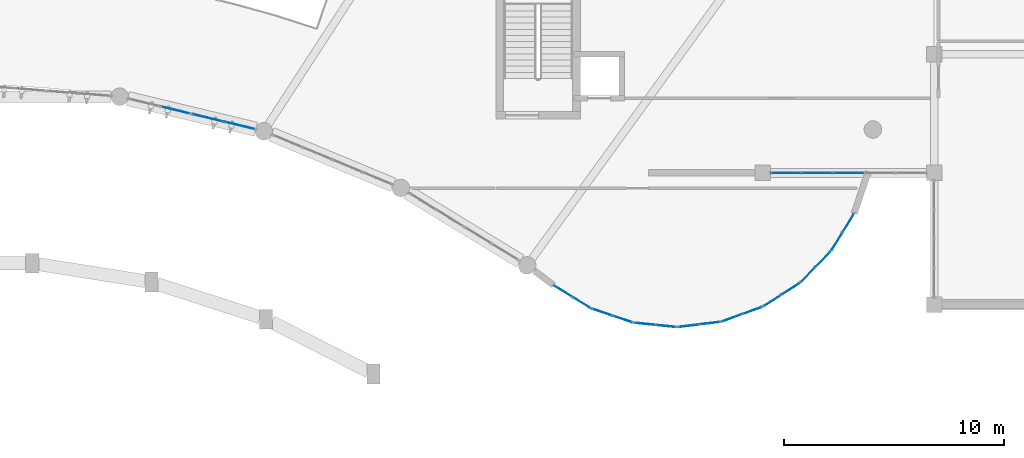
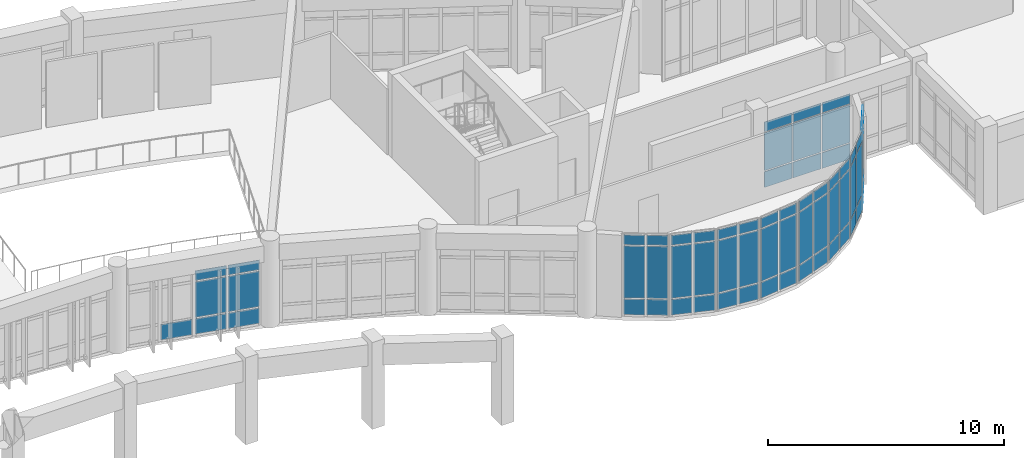
# One storey, part 36 of 57: 64 plates, 11 elements without a shape of their own.
"""IFC4 building model written with IfcOpenShell, lengths in metres."""

from ifc_helpers import new_model, si_unit, direction, frame, origin, origin_2d, place, context, subcontext, project, spatial, rectangle, extrude, material, layer, layer_set, type_object, element, aggregate, save


model = new_model("IFC4")

# Units and contexts
model_context = context("Model", 3, precision=1e-05, world=origin(), true_north=direction((0.0, 1.0)))
body_context = subcontext(model_context, "Body", "Model", "MODEL_VIEW")
ifc_project = project(units=[si_unit("LENGTHUNIT", "METRE"), si_unit("AREAUNIT", "SQUARE_METRE"), si_unit("VOLUMEUNIT", "CUBIC_METRE"), si_unit("PLANEANGLEUNIT", "RADIAN"), si_unit("MASSUNIT", "GRAM", prefix="KILO")], contexts=[model_context])

# Site, building, storey
site_placement = place(None, origin())
site = spatial("IfcSite", under=ifc_project, at=site_placement, CompositionType="ELEMENT")
building_placement = place(site_placement, origin())
building = spatial("IfcBuilding", under=site, at=building_placement, Name="Miralva Faculty of Natural Sciences", CompositionType="ELEMENT")
storey_placement = place(building_placement, frame((0.0, 0.0, 15.0)))
storey = spatial("IfcBuildingStorey", under=building, at=storey_placement, Name="L03", CompositionType="ELEMENT", Elevation=15.0)

# Curtain wall, plate
ifc_material = material(Name="Laminated solar-control glass", Category="glass")
ifc_layer_1 = layer(ifc_material, 0.179931640625, Name="CW-ARC-L03")
ifc_layer_set_1 = layer_set([ifc_layer_1], Name="Laminated solar-control glass")
curtain_wall_type_1 = type_object("IfcCurtainWallType", Name="CW-ARC-L03", PredefinedType="USERDEFINED", material=ifc_layer_set_1)
curtain_wall_1_placement = place(storey_placement, origin())
curtain_wall_1 = element("IfcCurtainWall", 1, at=curtain_wall_1_placement, inside=storey, type_object=curtain_wall_type_1, Name="Curtain wall CW-03 L03-119", ObjectType="UNITISED CURTAIN WALL", PredefinedType="USERDEFINED")
ifc_layer_2 = layer(ifc_material, 0.028076171875, Name="PNL-P01")
ifc_layer_set_2 = layer_set([ifc_layer_2], Name="Laminated solar-control glass")
plate_type = type_object("IfcPlateType", Name="PNL-P01", PredefinedType="CURTAIN_PANEL", material=ifc_layer_set_2)
plate_1_placement = place(storey_placement, frame((99.267333984375, 20.860595703125, 0.06494140625), z_axis=(0.0, 0.0, 1.0), x_axis=(0.972367185898, -0.233456753574, 0.0)))
plate_1 = element("IfcPlate", 2, at=plate_1_placement, type_object=plate_type, Name="CW-03 panel 2.1", PredefinedType="CURTAIN_PANEL", context=body_context, shape_type="SweptSolid", body=[
    extrude(rectangle(XDim=1.391845703125, YDim=0.028076171875, at=origin_2d()), origin(), (0.0, 0.0, 1.0), 0.802490234375),
])
aggregate(curtain_wall_1, [plate_1])

# Curtain wall, plates
curtain_wall_2_placement = place(storey_placement, origin())
curtain_wall_2 = element("IfcCurtainWall", 3, at=curtain_wall_2_placement, inside=storey, type_object=curtain_wall_type_1, Name="Curtain wall CW-03 L03-120", ObjectType="UNITISED CURTAIN WALL", PredefinedType="USERDEFINED")
plate_2_placement = place(storey_placement, frame((100.743408203125, 20.50634765625, 0.06494140625), z_axis=(0.0, 0.0, 1.0), x_axis=(0.972365393914, -0.233464217213, 0.0)))
plate_2 = element("IfcPlate", 4, at=plate_2_placement, type_object=plate_type, Name="CW-03 panel 1.1", PredefinedType="CURTAIN_PANEL", context=body_context, shape_type="SweptSolid", body=[
    extrude(rectangle(XDim=1.394287109375, YDim=0.028076171875, at=origin_2d()), origin(), (0.0, 0.0, 1.0), 0.802490234375),
])
plate_3_placement = place(storey_placement, frame((100.743408203125, 20.50634765625, 0.9326171875), z_axis=(0.0, 0.0, 1.0), x_axis=(0.972365393914, -0.233464217213, 0.0)))
plate_3 = element("IfcPlate", 5, at=plate_3_placement, type_object=plate_type, Name="CW-03 panel 1.2", PredefinedType="CURTAIN_PANEL", context=body_context, shape_type="SweptSolid", body=[
    extrude(rectangle(XDim=1.394287109375, YDim=0.028076171875, at=origin_2d()), origin(), (0.0, 0.0, 1.0), 1.840087890625),
])
plate_4_placement = place(storey_placement, frame((100.743408203125, 20.50634765625, 2.837646484375), z_axis=(0.0, 0.0, 1.0), x_axis=(0.972365393914, -0.233464217213, 0.0)))
plate_4 = element("IfcPlate", 6, at=plate_4_placement, type_object=plate_type, Name="CW-03 panel 1.3", PredefinedType="CURTAIN_PANEL", context=body_context, shape_type="SweptSolid", body=[
    extrude(rectangle(XDim=1.394287109375, YDim=0.028076171875, at=origin_2d()), origin(), (0.0, 0.0, 1.0), 0.50244140625),
])
plate_5_placement = place(storey_placement, frame((102.162353515625, 20.16552734375, 0.06494140625), z_axis=(0.0, 0.0, 1.0), x_axis=(0.972365393914, -0.233464217213, 0.0)))
plate_5 = element("IfcPlate", 7, at=plate_5_placement, type_object=plate_type, Name="CW-03 panel 2.1", PredefinedType="CURTAIN_PANEL", context=body_context, shape_type="SweptSolid", body=[
    extrude(rectangle(XDim=1.394287109375, YDim=0.028076171875, at=origin_2d()), origin(), (0.0, 0.0, 1.0), 0.802490234375),
])
plate_6_placement = place(storey_placement, frame((102.162353515625, 20.16552734375, 0.9326171875), z_axis=(0.0, 0.0, 1.0), x_axis=(0.972365393914, -0.233464217213, 0.0)))
plate_6 = element("IfcPlate", 8, at=plate_6_placement, type_object=plate_type, Name="CW-03 panel 2.2", PredefinedType="CURTAIN_PANEL", context=body_context, shape_type="SweptSolid", body=[
    extrude(rectangle(XDim=1.394287109375, YDim=0.028076171875, at=origin_2d()), origin(), (0.0, 0.0, 1.0), 1.840087890625),
])
plate_7_placement = place(storey_placement, frame((102.162353515625, 20.16552734375, 2.837646484375), z_axis=(0.0, 0.0, 1.0), x_axis=(0.972365393914, -0.233464217213, 0.0)))
plate_7 = element("IfcPlate", 9, at=plate_7_placement, type_object=plate_type, Name="CW-03 panel 2.3", PredefinedType="CURTAIN_PANEL", context=body_context, shape_type="SweptSolid", body=[
    extrude(rectangle(XDim=1.394287109375, YDim=0.028076171875, at=origin_2d()), origin(), (0.0, 0.0, 1.0), 0.50244140625),
])
aggregate(curtain_wall_2, [plate_2, plate_3, plate_4, plate_5, plate_6, plate_7])

ifc_layer_3 = layer(ifc_material, 0.179931640625, Name="CW-RND-L03")
ifc_layer_set_3 = layer_set([ifc_layer_3], Name="Laminated solar-control glass")
curtain_wall_type_2 = type_object("IfcCurtainWallType", Name="CW-RND-L03", PredefinedType="USERDEFINED", material=ifc_layer_set_3)
curtain_wall_3_placement = place(storey_placement, origin())
curtain_wall_3 = element("IfcCurtainWall", 10, at=curtain_wall_3_placement, inside=storey, type_object=curtain_wall_type_2, Name="Curtain wall CW-06 L03-149", ObjectType="UNITISED CURTAIN WALL", PredefinedType="USERDEFINED")
plate_8_placement = place(storey_placement, frame((129.37939453125, 14.8798828125, 0.06005859375), z_axis=(0.0, 0.0, 1.0), x_axis=(0.523550543884, 0.851994617353, 0.0)))
plate_8 = element("IfcPlate", 11, at=plate_8_placement, type_object=plate_type, Name="CW-06 panel 1.1", PredefinedType="CURTAIN_PANEL", context=body_context, shape_type="SweptSolid", body=[
    extrude(rectangle(XDim=0.91259765625, YDim=0.028076171875, at=origin_2d()), origin(), (0.0, 0.0, 1.0), 0.81005859375),
])
plate_9_placement = place(storey_placement, frame((129.37939453125, 14.8798828125, 0.929931640625), z_axis=(0.0, 0.0, 1.0), x_axis=(0.523550543884, 0.851994617353, 0.0)))
plate_9 = element("IfcPlate", 12, at=plate_9_placement, type_object=plate_type, Name="CW-06 panel 1.2", PredefinedType="CURTAIN_PANEL", context=body_context, shape_type="SweptSolid", body=[
    extrude(rectangle(XDim=0.91259765625, YDim=0.028076171875, at=origin_2d()), origin(), (0.0, 0.0, 1.0), 2.68994140625),
])
plate_10_placement = place(storey_placement, frame((129.37939453125, 14.8798828125, 3.68017578125), z_axis=(0.0, 0.0, 1.0), x_axis=(0.523550543884, 0.851994617353, 0.0)))
plate_10 = element("IfcPlate", 13, at=plate_10_placement, type_object=plate_type, Name="CW-06 panel 1.3", PredefinedType="CURTAIN_PANEL", context=body_context, shape_type="SweptSolid", body=[
    extrude(rectangle(XDim=0.91259765625, YDim=0.028076171875, at=origin_2d()), origin(), (0.0, 0.0, 1.0), 0.510009765625),
])
plate_11_placement = place(storey_placement, frame((129.891357421875, 15.712890625, 0.06005859375), z_axis=(0.0, 0.0, 1.0), x_axis=(0.523550543884, 0.851994617353, 0.0)))
plate_11 = element("IfcPlate", 14, at=plate_11_placement, type_object=plate_type, Name="CW-06 panel 2.1", PredefinedType="CURTAIN_PANEL", context=body_context, shape_type="SweptSolid", body=[
    extrude(rectangle(XDim=0.91259765625, YDim=0.028076171875, at=origin_2d()), origin(), (0.0, 0.0, 1.0), 0.81005859375),
])
plate_12_placement = place(storey_placement, frame((129.891357421875, 15.712890625, 0.929931640625), z_axis=(0.0, 0.0, 1.0), x_axis=(0.523550543884, 0.851994617353, 0.0)))
plate_12 = element("IfcPlate", 15, at=plate_12_placement, type_object=plate_type, Name="CW-06 panel 2.2", PredefinedType="CURTAIN_PANEL", context=body_context, shape_type="SweptSolid", body=[
    extrude(rectangle(XDim=0.91259765625, YDim=0.028076171875, at=origin_2d()), origin(), (0.0, 0.0, 1.0), 2.68994140625),
])
plate_13_placement = place(storey_placement, frame((129.891357421875, 15.712890625, 3.68017578125), z_axis=(0.0, 0.0, 1.0), x_axis=(0.523550543884, 0.851994617353, 0.0)))
plate_13 = element("IfcPlate", 16, at=plate_13_placement, type_object=plate_type, Name="CW-06 panel 2.3", PredefinedType="CURTAIN_PANEL", context=body_context, shape_type="SweptSolid", body=[
    extrude(rectangle(XDim=0.91259765625, YDim=0.028076171875, at=origin_2d()), origin(), (0.0, 0.0, 1.0), 0.510009765625),
])
aggregate(curtain_wall_3, [plate_8, plate_9, plate_10, plate_11, plate_12, plate_13])

curtain_wall_4_placement = place(storey_placement, origin())
curtain_wall_4 = element("IfcCurtainWall", 17, at=curtain_wall_4_placement, inside=storey, type_object=curtain_wall_type_2, Name="Curtain wall CW-06 L03-150", ObjectType="UNITISED CURTAIN WALL", PredefinedType="USERDEFINED")
plate_14_placement = place(storey_placement, frame((128.060546875, 13.36865234375, 0.06005859375), z_axis=(0.0, 0.0, 1.0), x_axis=(0.700018458929, 0.714124749017, 0.0)))
plate_14 = element("IfcPlate", 18, at=plate_14_placement, type_object=plate_type, Name="CW-06 panel 1.1", PredefinedType="CURTAIN_PANEL", context=body_context, shape_type="SweptSolid", body=[
    extrude(rectangle(XDim=0.91259765625, YDim=0.028076171875, at=origin_2d()), origin(), (0.0, 0.0, 1.0), 0.81005859375),
])
plate_15_placement = place(storey_placement, frame((128.060546875, 13.36865234375, 0.929931640625), z_axis=(0.0, 0.0, 1.0), x_axis=(0.700018458929, 0.714124749017, 0.0)))
plate_15 = element("IfcPlate", 19, at=plate_15_placement, type_object=plate_type, Name="CW-06 panel 1.2", PredefinedType="CURTAIN_PANEL", context=body_context, shape_type="SweptSolid", body=[
    extrude(rectangle(XDim=0.91259765625, YDim=0.028076171875, at=origin_2d()), origin(), (0.0, 0.0, 1.0), 2.68994140625),
])
plate_16_placement = place(storey_placement, frame((128.060546875, 13.36865234375, 3.68017578125), z_axis=(0.0, 0.0, 1.0), x_axis=(0.700018458929, 0.714124749017, 0.0)))
plate_16 = element("IfcPlate", 20, at=plate_16_placement, type_object=plate_type, Name="CW-06 panel 1.3", PredefinedType="CURTAIN_PANEL", context=body_context, shape_type="SweptSolid", body=[
    extrude(rectangle(XDim=0.91259765625, YDim=0.028076171875, at=origin_2d()), origin(), (0.0, 0.0, 1.0), 0.510009765625),
])
plate_17_placement = place(storey_placement, frame((128.7451171875, 14.06689453125, 0.06005859375), z_axis=(0.0, 0.0, 1.0), x_axis=(0.700018458929, 0.714124749017, 0.0)))
plate_17 = element("IfcPlate", 21, at=plate_17_placement, type_object=plate_type, Name="CW-06 panel 2.1", PredefinedType="CURTAIN_PANEL", context=body_context, shape_type="SweptSolid", body=[
    extrude(rectangle(XDim=0.91259765625, YDim=0.028076171875, at=origin_2d()), origin(), (0.0, 0.0, 1.0), 0.81005859375),
])
plate_18_placement = place(storey_placement, frame((128.7451171875, 14.06689453125, 0.929931640625), z_axis=(0.0, 0.0, 1.0), x_axis=(0.700018458929, 0.714124749017, 0.0)))
plate_18 = element("IfcPlate", 22, at=plate_18_placement, type_object=plate_type, Name="CW-06 panel 2.2", PredefinedType="CURTAIN_PANEL", context=body_context, shape_type="SweptSolid", body=[
    extrude(rectangle(XDim=0.91259765625, YDim=0.028076171875, at=origin_2d()), origin(), (0.0, 0.0, 1.0), 2.68994140625),
])
plate_19_placement = place(storey_placement, frame((128.7451171875, 14.06689453125, 3.68017578125), z_axis=(0.0, 0.0, 1.0), x_axis=(0.700018458929, 0.714124749017, 0.0)))
plate_19 = element("IfcPlate", 23, at=plate_19_placement, type_object=plate_type, Name="CW-06 panel 2.3", PredefinedType="CURTAIN_PANEL", context=body_context, shape_type="SweptSolid", body=[
    extrude(rectangle(XDim=0.91259765625, YDim=0.028076171875, at=origin_2d()), origin(), (0.0, 0.0, 1.0), 0.510009765625),
])
aggregate(curtain_wall_4, [plate_14, plate_15, plate_16, plate_17, plate_18, plate_19])

curtain_wall_5_placement = place(storey_placement, origin())
curtain_wall_5 = element("IfcCurtainWall", 24, at=curtain_wall_5_placement, inside=storey, type_object=curtain_wall_type_2, Name="Curtain wall CW-06 L03-151", ObjectType="UNITISED CURTAIN WALL", PredefinedType="USERDEFINED")
plate_20_placement = place(storey_placement, frame((126.438720703125, 12.18896484375, 0.06005859375), z_axis=(0.0, 0.0, 1.0), x_axis=(0.841379438185, 0.540444854725, 0.0)))
plate_20 = element("IfcPlate", 25, at=plate_20_placement, type_object=plate_type, Name="CW-06 panel 1.1", PredefinedType="CURTAIN_PANEL", context=body_context, shape_type="SweptSolid", body=[
    extrude(rectangle(XDim=0.91259765625, YDim=0.028076171875, at=origin_2d()), origin(), (0.0, 0.0, 1.0), 0.81005859375),
])
plate_21_placement = place(storey_placement, frame((126.438720703125, 12.18896484375, 0.929931640625), z_axis=(0.0, 0.0, 1.0), x_axis=(0.841379438185, 0.540444854725, 0.0)))
plate_21 = element("IfcPlate", 26, at=plate_21_placement, type_object=plate_type, Name="CW-06 panel 1.2", PredefinedType="CURTAIN_PANEL", context=body_context, shape_type="SweptSolid", body=[
    extrude(rectangle(XDim=0.91259765625, YDim=0.028076171875, at=origin_2d()), origin(), (0.0, 0.0, 1.0), 2.68994140625),
])
plate_22_placement = place(storey_placement, frame((126.438720703125, 12.18896484375, 3.68017578125), z_axis=(0.0, 0.0, 1.0), x_axis=(0.841379438185, 0.540444854725, 0.0)))
plate_22 = element("IfcPlate", 27, at=plate_22_placement, type_object=plate_type, Name="CW-06 panel 1.3", PredefinedType="CURTAIN_PANEL", context=body_context, shape_type="SweptSolid", body=[
    extrude(rectangle(XDim=0.91259765625, YDim=0.028076171875, at=origin_2d()), origin(), (0.0, 0.0, 1.0), 0.510009765625),
])
plate_23_placement = place(storey_placement, frame((127.26123046875, 12.71728515625, 0.06005859375), z_axis=(0.0, 0.0, 1.0), x_axis=(0.841379438185, 0.540444854725, 0.0)))
plate_23 = element("IfcPlate", 28, at=plate_23_placement, type_object=plate_type, Name="CW-06 panel 2.1", PredefinedType="CURTAIN_PANEL", context=body_context, shape_type="SweptSolid", body=[
    extrude(rectangle(XDim=0.91259765625, YDim=0.028076171875, at=origin_2d()), origin(), (0.0, 0.0, 1.0), 0.81005859375),
])
plate_24_placement = place(storey_placement, frame((127.26123046875, 12.71728515625, 0.929931640625), z_axis=(0.0, 0.0, 1.0), x_axis=(0.841379438185, 0.540444854725, 0.0)))
plate_24 = element("IfcPlate", 29, at=plate_24_placement, type_object=plate_type, Name="CW-06 panel 2.2", PredefinedType="CURTAIN_PANEL", context=body_context, shape_type="SweptSolid", body=[
    extrude(rectangle(XDim=0.91259765625, YDim=0.028076171875, at=origin_2d()), origin(), (0.0, 0.0, 1.0), 2.68994140625),
])
plate_25_placement = place(storey_placement, frame((127.26123046875, 12.71728515625, 3.68017578125), z_axis=(0.0, 0.0, 1.0), x_axis=(0.841379438185, 0.540444854725, 0.0)))
plate_25 = element("IfcPlate", 30, at=plate_25_placement, type_object=plate_type, Name="CW-06 panel 2.3", PredefinedType="CURTAIN_PANEL", context=body_context, shape_type="SweptSolid", body=[
    extrude(rectangle(XDim=0.91259765625, YDim=0.028076171875, at=origin_2d()), origin(), (0.0, 0.0, 1.0), 0.510009765625),
])
aggregate(curtain_wall_5, [plate_20, plate_21, plate_22, plate_23, plate_24, plate_25])

curtain_wall_6_placement = place(storey_placement, origin())
curtain_wall_6 = element("IfcCurtainWall", 31, at=curtain_wall_6_placement, inside=storey, type_object=curtain_wall_type_2, Name="Curtain wall CW-06 L03-152", ObjectType="UNITISED CURTAIN WALL", PredefinedType="USERDEFINED")
plate_26_placement = place(storey_placement, frame((124.5947265625, 11.399658203125, 0.06005859375), z_axis=(0.0, 0.0, 1.0), x_axis=(0.940535451088, 0.339695547876, 0.0)))
plate_26 = element("IfcPlate", 32, at=plate_26_placement, type_object=plate_type, Name="CW-06 panel 1.1", PredefinedType="CURTAIN_PANEL", context=body_context, shape_type="SweptSolid", body=[
    extrude(rectangle(XDim=0.91259765625, YDim=0.028076171875, at=origin_2d()), origin(), (0.0, 0.0, 1.0), 0.81005859375),
])
plate_27_placement = place(storey_placement, frame((124.5947265625, 11.399658203125, 0.929931640625), z_axis=(0.0, 0.0, 1.0), x_axis=(0.940535451088, 0.339695547876, 0.0)))
plate_27 = element("IfcPlate", 33, at=plate_27_placement, type_object=plate_type, Name="CW-06 panel 1.2", PredefinedType="CURTAIN_PANEL", context=body_context, shape_type="SweptSolid", body=[
    extrude(rectangle(XDim=0.91259765625, YDim=0.028076171875, at=origin_2d()), origin(), (0.0, 0.0, 1.0), 2.68994140625),
])
plate_28_placement = place(storey_placement, frame((124.5947265625, 11.399658203125, 3.68017578125), z_axis=(0.0, 0.0, 1.0), x_axis=(0.940535451088, 0.339695547876, 0.0)))
plate_28 = element("IfcPlate", 34, at=plate_28_placement, type_object=plate_type, Name="CW-06 panel 1.3", PredefinedType="CURTAIN_PANEL", context=body_context, shape_type="SweptSolid", body=[
    extrude(rectangle(XDim=0.91259765625, YDim=0.028076171875, at=origin_2d()), origin(), (0.0, 0.0, 1.0), 0.510009765625),
])
plate_29_placement = place(storey_placement, frame((125.514404296875, 11.731689453125, 0.06005859375), z_axis=(0.0, 0.0, 1.0), x_axis=(0.940535451088, 0.339695547876, 0.0)))
plate_29 = element("IfcPlate", 35, at=plate_29_placement, type_object=plate_type, Name="CW-06 panel 2.1", PredefinedType="CURTAIN_PANEL", context=body_context, shape_type="SweptSolid", body=[
    extrude(rectangle(XDim=0.91259765625, YDim=0.028076171875, at=origin_2d()), origin(), (0.0, 0.0, 1.0), 0.81005859375),
])
plate_30_placement = place(storey_placement, frame((125.514404296875, 11.731689453125, 0.929931640625), z_axis=(0.0, 0.0, 1.0), x_axis=(0.940535451088, 0.339695547876, 0.0)))
plate_30 = element("IfcPlate", 36, at=plate_30_placement, type_object=plate_type, Name="CW-06 panel 2.2", PredefinedType="CURTAIN_PANEL", context=body_context, shape_type="SweptSolid", body=[
    extrude(rectangle(XDim=0.91259765625, YDim=0.028076171875, at=origin_2d()), origin(), (0.0, 0.0, 1.0), 2.68994140625),
])
plate_31_placement = place(storey_placement, frame((125.514404296875, 11.731689453125, 3.68017578125), z_axis=(0.0, 0.0, 1.0), x_axis=(0.940535451088, 0.339695547876, 0.0)))
plate_31 = element("IfcPlate", 37, at=plate_31_placement, type_object=plate_type, Name="CW-06 panel 2.3", PredefinedType="CURTAIN_PANEL", context=body_context, shape_type="SweptSolid", body=[
    extrude(rectangle(XDim=0.91259765625, YDim=0.028076171875, at=origin_2d()), origin(), (0.0, 0.0, 1.0), 0.510009765625),
])
aggregate(curtain_wall_6, [plate_26, plate_27, plate_28, plate_29, plate_30, plate_31])

curtain_wall_7_placement = place(storey_placement, origin())
curtain_wall_7 = element("IfcCurtainWall", 38, at=curtain_wall_7_placement, inside=storey, type_object=curtain_wall_type_2, Name="Curtain wall CW-06 L03-153", ObjectType="UNITISED CURTAIN WALL", PredefinedType="USERDEFINED")
plate_32_placement = place(storey_placement, frame((122.62158203125, 11.04052734375, 0.06005859375), z_axis=(0.0, 0.0, 1.0), x_axis=(0.99254734183, 0.121859649701, 0.0)))
plate_32 = element("IfcPlate", 39, at=plate_32_placement, type_object=plate_type, Name="CW-06 panel 1.1", PredefinedType="CURTAIN_PANEL", context=body_context, shape_type="SweptSolid", body=[
    extrude(rectangle(XDim=0.91259765625, YDim=0.028076171875, at=origin_2d()), origin(), (0.0, 0.0, 1.0), 0.81005859375),
])
plate_33_placement = place(storey_placement, frame((122.62158203125, 11.04052734375, 0.929931640625), z_axis=(0.0, 0.0, 1.0), x_axis=(0.99254734183, 0.121859649701, 0.0)))
plate_33 = element("IfcPlate", 40, at=plate_33_placement, type_object=plate_type, Name="CW-06 panel 1.2", PredefinedType="CURTAIN_PANEL", context=body_context, shape_type="SweptSolid", body=[
    extrude(rectangle(XDim=0.91259765625, YDim=0.028076171875, at=origin_2d()), origin(), (0.0, 0.0, 1.0), 2.68994140625),
])
plate_34_placement = place(storey_placement, frame((122.62158203125, 11.04052734375, 3.68017578125), z_axis=(0.0, 0.0, 1.0), x_axis=(0.99254734183, 0.121859649701, 0.0)))
plate_34 = element("IfcPlate", 41, at=plate_34_placement, type_object=plate_type, Name="CW-06 panel 1.3", PredefinedType="CURTAIN_PANEL", context=body_context, shape_type="SweptSolid", body=[
    extrude(rectangle(XDim=0.91259765625, YDim=0.028076171875, at=origin_2d()), origin(), (0.0, 0.0, 1.0), 0.510009765625),
])
plate_35_placement = place(storey_placement, frame((123.592041015625, 11.15966796875, 0.06005859375), z_axis=(0.0, 0.0, 1.0), x_axis=(0.99254734183, 0.121859649701, 0.0)))
plate_35 = element("IfcPlate", 42, at=plate_35_placement, type_object=plate_type, Name="CW-06 panel 2.1", PredefinedType="CURTAIN_PANEL", context=body_context, shape_type="SweptSolid", body=[
    extrude(rectangle(XDim=0.91259765625, YDim=0.028076171875, at=origin_2d()), origin(), (0.0, 0.0, 1.0), 0.81005859375),
])
plate_36_placement = place(storey_placement, frame((123.592041015625, 11.15966796875, 0.929931640625), z_axis=(0.0, 0.0, 1.0), x_axis=(0.99254734183, 0.121859649701, 0.0)))
plate_36 = element("IfcPlate", 43, at=plate_36_placement, type_object=plate_type, Name="CW-06 panel 2.2", PredefinedType="CURTAIN_PANEL", context=body_context, shape_type="SweptSolid", body=[
    extrude(rectangle(XDim=0.91259765625, YDim=0.028076171875, at=origin_2d()), origin(), (0.0, 0.0, 1.0), 2.68994140625),
])
plate_37_placement = place(storey_placement, frame((123.592041015625, 11.15966796875, 3.68017578125), z_axis=(0.0, 0.0, 1.0), x_axis=(0.99254734183, 0.121859649701, 0.0)))
plate_37 = element("IfcPlate", 44, at=plate_37_placement, type_object=plate_type, Name="CW-06 panel 2.3", PredefinedType="CURTAIN_PANEL", context=body_context, shape_type="SweptSolid", body=[
    extrude(rectangle(XDim=0.91259765625, YDim=0.028076171875, at=origin_2d()), origin(), (0.0, 0.0, 1.0), 0.510009765625),
])
aggregate(curtain_wall_7, [plate_32, plate_33, plate_34, plate_35, plate_36, plate_37])

curtain_wall_8_placement = place(storey_placement, origin())
curtain_wall_8 = element("IfcCurtainWall", 45, at=curtain_wall_8_placement, inside=storey, type_object=curtain_wall_type_2, Name="Curtain wall CW-06 L03-154", ObjectType="UNITISED CURTAIN WALL", PredefinedType="USERDEFINED")
plate_38_placement = place(storey_placement, frame((120.617919921875, 11.12939453125, 0.06005859375), z_axis=(0.0, 0.0, 1.0), x_axis=(0.994778604482, -0.102056494477, 0.0)))
plate_38 = element("IfcPlate", 46, at=plate_38_placement, type_object=plate_type, Name="CW-06 panel 1.1", PredefinedType="CURTAIN_PANEL", context=body_context, shape_type="SweptSolid", body=[
    extrude(rectangle(XDim=0.912841796875, YDim=0.028076171875, at=origin_2d()), origin(), (0.0, 0.0, 1.0), 0.81005859375),
])
plate_39_placement = place(storey_placement, frame((120.617919921875, 11.12939453125, 0.929931640625), z_axis=(0.0, 0.0, 1.0), x_axis=(0.994778604482, -0.102056494477, 0.0)))
plate_39 = element("IfcPlate", 47, at=plate_39_placement, type_object=plate_type, Name="CW-06 panel 1.2", PredefinedType="CURTAIN_PANEL", context=body_context, shape_type="SweptSolid", body=[
    extrude(rectangle(XDim=0.912841796875, YDim=0.028076171875, at=origin_2d()), origin(), (0.0, 0.0, 1.0), 2.68994140625),
])
plate_40_placement = place(storey_placement, frame((120.617919921875, 11.12939453125, 3.68017578125), z_axis=(0.0, 0.0, 1.0), x_axis=(0.994778604482, -0.102056494477, 0.0)))
plate_40 = element("IfcPlate", 48, at=plate_40_placement, type_object=plate_type, Name="CW-06 panel 1.3", PredefinedType="CURTAIN_PANEL", context=body_context, shape_type="SweptSolid", body=[
    extrude(rectangle(XDim=0.912841796875, YDim=0.028076171875, at=origin_2d()), origin(), (0.0, 0.0, 1.0), 0.510009765625),
])
plate_41_placement = place(storey_placement, frame((121.590576171875, 11.02978515625, 0.06005859375), z_axis=(0.0, 0.0, 1.0), x_axis=(0.994778604482, -0.102056494477, 0.0)))
plate_41 = element("IfcPlate", 49, at=plate_41_placement, type_object=plate_type, Name="CW-06 panel 2.1", PredefinedType="CURTAIN_PANEL", context=body_context, shape_type="SweptSolid", body=[
    extrude(rectangle(XDim=0.912841796875, YDim=0.028076171875, at=origin_2d()), origin(), (0.0, 0.0, 1.0), 0.81005859375),
])
plate_42_placement = place(storey_placement, frame((121.590576171875, 11.02978515625, 0.929931640625), z_axis=(0.0, 0.0, 1.0), x_axis=(0.994778604482, -0.102056494477, 0.0)))
plate_42 = element("IfcPlate", 50, at=plate_42_placement, type_object=plate_type, Name="CW-06 panel 2.2", PredefinedType="CURTAIN_PANEL", context=body_context, shape_type="SweptSolid", body=[
    extrude(rectangle(XDim=0.912841796875, YDim=0.028076171875, at=origin_2d()), origin(), (0.0, 0.0, 1.0), 2.68994140625),
])
plate_43_placement = place(storey_placement, frame((121.590576171875, 11.02978515625, 3.68017578125), z_axis=(0.0, 0.0, 1.0), x_axis=(0.994778604482, -0.102056494477, 0.0)))
plate_43 = element("IfcPlate", 51, at=plate_43_placement, type_object=plate_type, Name="CW-06 panel 2.3", PredefinedType="CURTAIN_PANEL", context=body_context, shape_type="SweptSolid", body=[
    extrude(rectangle(XDim=0.912841796875, YDim=0.028076171875, at=origin_2d()), origin(), (0.0, 0.0, 1.0), 0.510009765625),
])
aggregate(curtain_wall_8, [plate_38, plate_39, plate_40, plate_41, plate_42, plate_43])

curtain_wall_9_placement = place(storey_placement, origin())
curtain_wall_9 = element("IfcCurtainWall", 52, at=curtain_wall_9_placement, inside=storey, type_object=curtain_wall_type_2, Name="Curtain wall CW-06 L03-155", ObjectType="UNITISED CURTAIN WALL", PredefinedType="USERDEFINED")
plate_44_placement = place(storey_placement, frame((118.684326171875, 11.662109375, 0.06005859375), z_axis=(0.0, 0.0, 1.0), x_axis=(0.947132688672, -0.320842126361, 0.0)))
plate_44 = element("IfcPlate", 53, at=plate_44_placement, type_object=plate_type, Name="CW-06 panel 1.1", PredefinedType="CURTAIN_PANEL", context=body_context, shape_type="SweptSolid", body=[
    extrude(rectangle(XDim=0.91259765625, YDim=0.028076171875, at=origin_2d()), origin(), (0.0, 0.0, 1.0), 0.81005859375),
])
plate_45_placement = place(storey_placement, frame((118.684326171875, 11.662109375, 0.929931640625), z_axis=(0.0, 0.0, 1.0), x_axis=(0.947132688672, -0.320842126361, 0.0)))
plate_45 = element("IfcPlate", 54, at=plate_45_placement, type_object=plate_type, Name="CW-06 panel 1.2", PredefinedType="CURTAIN_PANEL", context=body_context, shape_type="SweptSolid", body=[
    extrude(rectangle(XDim=0.91259765625, YDim=0.028076171875, at=origin_2d()), origin(), (0.0, 0.0, 1.0), 2.68994140625),
])
plate_46_placement = place(storey_placement, frame((118.684326171875, 11.662109375, 3.68017578125), z_axis=(0.0, 0.0, 1.0), x_axis=(0.947132688672, -0.320842126361, 0.0)))
plate_46 = element("IfcPlate", 55, at=plate_46_placement, type_object=plate_type, Name="CW-06 panel 1.3", PredefinedType="CURTAIN_PANEL", context=body_context, shape_type="SweptSolid", body=[
    extrude(rectangle(XDim=0.91259765625, YDim=0.028076171875, at=origin_2d()), origin(), (0.0, 0.0, 1.0), 0.510009765625),
])
plate_47_placement = place(storey_placement, frame((119.6103515625, 11.348388671875, 0.06005859375), z_axis=(0.0, 0.0, 1.0), x_axis=(0.947132688672, -0.320842126361, 0.0)))
plate_47 = element("IfcPlate", 56, at=plate_47_placement, type_object=plate_type, Name="CW-06 panel 2.1", PredefinedType="CURTAIN_PANEL", context=body_context, shape_type="SweptSolid", body=[
    extrude(rectangle(XDim=0.91259765625, YDim=0.028076171875, at=origin_2d()), origin(), (0.0, 0.0, 1.0), 0.81005859375),
])
plate_48_placement = place(storey_placement, frame((119.6103515625, 11.348388671875, 0.929931640625), z_axis=(0.0, 0.0, 1.0), x_axis=(0.947132688672, -0.320842126361, 0.0)))
plate_48 = element("IfcPlate", 57, at=plate_48_placement, type_object=plate_type, Name="CW-06 panel 2.2", PredefinedType="CURTAIN_PANEL", context=body_context, shape_type="SweptSolid", body=[
    extrude(rectangle(XDim=0.91259765625, YDim=0.028076171875, at=origin_2d()), origin(), (0.0, 0.0, 1.0), 2.68994140625),
])
plate_49_placement = place(storey_placement, frame((119.6103515625, 11.348388671875, 3.68017578125), z_axis=(0.0, 0.0, 1.0), x_axis=(0.947132688672, -0.320842126361, 0.0)))
plate_49 = element("IfcPlate", 58, at=plate_49_placement, type_object=plate_type, Name="CW-06 panel 2.3", PredefinedType="CURTAIN_PANEL", context=body_context, shape_type="SweptSolid", body=[
    extrude(rectangle(XDim=0.91259765625, YDim=0.028076171875, at=origin_2d()), origin(), (0.0, 0.0, 1.0), 0.510009765625),
])
aggregate(curtain_wall_9, [plate_44, plate_45, plate_46, plate_47, plate_48, plate_49])

curtain_wall_10_placement = place(storey_placement, origin())
curtain_wall_10 = element("IfcCurtainWall", 59, at=curtain_wall_10_placement, inside=storey, type_object=curtain_wall_type_2, Name="Curtain wall CW-06 L03-156", ObjectType="UNITISED CURTAIN WALL", PredefinedType="USERDEFINED")
plate_50_placement = place(storey_placement, frame((116.914306640625, 12.613525390625, 0.06005859375), z_axis=(0.0, 0.0, 1.0), x_axis=(0.852003943693, -0.523535366458, 0.0)))
plate_50 = element("IfcPlate", 60, at=plate_50_placement, type_object=plate_type, Name="CW-06 panel 1.1", PredefinedType="CURTAIN_PANEL", context=body_context, shape_type="SweptSolid", body=[
    extrude(rectangle(XDim=0.915283203125, YDim=0.028076171875, at=origin_2d()), origin(), (0.0, 0.0, 1.0), 0.81005859375),
])
plate_51_placement = place(storey_placement, frame((116.914306640625, 12.613525390625, 0.929931640625), z_axis=(0.0, 0.0, 1.0), x_axis=(0.852003943693, -0.523535366458, 0.0)))
plate_51 = element("IfcPlate", 61, at=plate_51_placement, type_object=plate_type, Name="CW-06 panel 1.2", PredefinedType="CURTAIN_PANEL", context=body_context, shape_type="SweptSolid", body=[
    extrude(rectangle(XDim=0.915283203125, YDim=0.028076171875, at=origin_2d()), origin(), (0.0, 0.0, 1.0), 2.68994140625),
])
plate_52_placement = place(storey_placement, frame((116.914306640625, 12.613525390625, 3.68017578125), z_axis=(0.0, 0.0, 1.0), x_axis=(0.852003943693, -0.523535366458, 0.0)))
plate_52 = element("IfcPlate", 62, at=plate_52_placement, type_object=plate_type, Name="CW-06 panel 1.3", PredefinedType="CURTAIN_PANEL", context=body_context, shape_type="SweptSolid", body=[
    extrude(rectangle(XDim=0.915283203125, YDim=0.028076171875, at=origin_2d()), origin(), (0.0, 0.0, 1.0), 0.510009765625),
])
plate_53_placement = place(storey_placement, frame((117.74951171875, 12.100341796875, 0.06005859375), z_axis=(0.0, 0.0, 1.0), x_axis=(0.852003943693, -0.523535366458, 0.0)))
plate_53 = element("IfcPlate", 63, at=plate_53_placement, type_object=plate_type, Name="CW-06 panel 2.1", PredefinedType="CURTAIN_PANEL", context=body_context, shape_type="SweptSolid", body=[
    extrude(rectangle(XDim=0.915283203125, YDim=0.028076171875, at=origin_2d()), origin(), (0.0, 0.0, 1.0), 0.81005859375),
])
plate_54_placement = place(storey_placement, frame((117.74951171875, 12.100341796875, 0.929931640625), z_axis=(0.0, 0.0, 1.0), x_axis=(0.852003943693, -0.523535366458, 0.0)))
plate_54 = element("IfcPlate", 64, at=plate_54_placement, type_object=plate_type, Name="CW-06 panel 2.2", PredefinedType="CURTAIN_PANEL", context=body_context, shape_type="SweptSolid", body=[
    extrude(rectangle(XDim=0.915283203125, YDim=0.028076171875, at=origin_2d()), origin(), (0.0, 0.0, 1.0), 2.68994140625),
])
plate_55_placement = place(storey_placement, frame((117.74951171875, 12.100341796875, 3.68017578125), z_axis=(0.0, 0.0, 1.0), x_axis=(0.852003943693, -0.523535366458, 0.0)))
plate_55 = element("IfcPlate", 65, at=plate_55_placement, type_object=plate_type, Name="CW-06 panel 2.3", PredefinedType="CURTAIN_PANEL", context=body_context, shape_type="SweptSolid", body=[
    extrude(rectangle(XDim=0.915283203125, YDim=0.028076171875, at=origin_2d()), origin(), (0.0, 0.0, 1.0), 0.510009765625),
])
aggregate(curtain_wall_10, [plate_50, plate_51, plate_52, plate_53, plate_54, plate_55])

ifc_layer_4 = layer(ifc_material, 0.179931640625, Name="CW-COM-L01")
ifc_layer_set_4 = layer_set([ifc_layer_4], Name="Laminated solar-control glass")
curtain_wall_type_3 = type_object("IfcCurtainWallType", Name="CW-COM-L01", PredefinedType="USERDEFINED", material=ifc_layer_set_4)
curtain_wall_11_placement = place(storey_placement, origin())
curtain_wall_11 = element("IfcCurtainWall", 66, at=curtain_wall_11_placement, inside=storey, type_object=curtain_wall_type_3, Name="Curtain wall CW-10 L03-302", ObjectType="UNITISED CURTAIN WALL", PredefinedType="USERDEFINED")
plate_56_placement = place(storey_placement, frame((127.06298828125, 18.0, 0.06005859375), z_axis=(0.0, 0.0, 1.0), x_axis=(1.0, 0.0, 0.0)))
plate_56 = element("IfcPlate", 67, at=plate_56_placement, type_object=plate_type, Name="CW-10 panel 1.1", PredefinedType="CURTAIN_PANEL", context=body_context, shape_type="SweptSolid", body=[
    extrude(rectangle(XDim=1.3359375, YDim=0.028076171875, at=origin_2d()), origin(), (0.0, 0.0, 1.0), 0.81005859375),
])
plate_57_placement = place(storey_placement, frame((127.06298828125, 18.0, 0.93017578125), z_axis=(0.0, 0.0, 1.0), x_axis=(1.0, 0.0, 0.0)))
plate_57 = element("IfcPlate", 68, at=plate_57_placement, type_object=plate_type, Name="CW-10 panel 1.2", PredefinedType="CURTAIN_PANEL", context=body_context, shape_type="SweptSolid", body=[
    extrude(rectangle(XDim=1.3359375, YDim=0.028076171875, at=origin_2d()), origin(), (0.0, 0.0, 1.0), 1.945068359375),
])
plate_58_placement = place(storey_placement, frame((127.06298828125, 18.0, 2.93505859375), z_axis=(0.0, 0.0, 1.0), x_axis=(1.0, 0.0, 0.0)))
plate_58 = element("IfcPlate", 69, at=plate_58_placement, type_object=plate_type, Name="CW-10 panel 1.3", PredefinedType="CURTAIN_PANEL", context=body_context, shape_type="SweptSolid", body=[
    extrude(rectangle(XDim=1.3359375, YDim=0.028076171875, at=origin_2d()), origin(), (0.0, 0.0, 1.0), 0.510009765625),
])
plate_59_placement = place(storey_placement, frame((128.47412109375, 18.0, 0.06005859375), z_axis=(0.0, 0.0, 1.0), x_axis=(1.0, 0.0, 0.0)))
plate_59 = element("IfcPlate", 70, at=plate_59_placement, type_object=plate_type, Name="CW-10 panel 2.1", PredefinedType="CURTAIN_PANEL", context=body_context, shape_type="SweptSolid", body=[
    extrude(rectangle(XDim=1.365966796875, YDim=0.028076171875, at=origin_2d()), origin(), (0.0, 0.0, 1.0), 0.81005859375),
])
plate_60_placement = place(storey_placement, frame((128.47412109375, 18.0, 0.93017578125), z_axis=(0.0, 0.0, 1.0), x_axis=(1.0, 0.0, 0.0)))
plate_60 = element("IfcPlate", 71, at=plate_60_placement, type_object=plate_type, Name="CW-10 panel 2.2", PredefinedType="CURTAIN_PANEL", context=body_context, shape_type="SweptSolid", body=[
    extrude(rectangle(XDim=1.365966796875, YDim=0.028076171875, at=origin_2d()), origin(), (0.0, 0.0, 1.0), 1.945068359375),
])
plate_61_placement = place(storey_placement, frame((128.47412109375, 18.0, 2.93505859375), z_axis=(0.0, 0.0, 1.0), x_axis=(1.0, 0.0, 0.0)))
plate_61 = element("IfcPlate", 72, at=plate_61_placement, type_object=plate_type, Name="CW-10 panel 2.3", PredefinedType="CURTAIN_PANEL", context=body_context, shape_type="SweptSolid", body=[
    extrude(rectangle(XDim=1.365966796875, YDim=0.028076171875, at=origin_2d()), origin(), (0.0, 0.0, 1.0), 0.510009765625),
])
plate_62_placement = place(storey_placement, frame((129.89990234375, 18.0, 0.06005859375), z_axis=(0.0, 0.0, 1.0), x_axis=(1.0, 0.0, 0.0)))
plate_62 = element("IfcPlate", 73, at=plate_62_placement, type_object=plate_type, Name="CW-10 panel 3.1", PredefinedType="CURTAIN_PANEL", context=body_context, shape_type="SweptSolid", body=[
    extrude(rectangle(XDim=1.365966796875, YDim=0.028076171875, at=origin_2d()), origin(), (0.0, 0.0, 1.0), 0.81005859375),
])
plate_63_placement = place(storey_placement, frame((129.89990234375, 18.0, 0.93017578125), z_axis=(0.0, 0.0, 1.0), x_axis=(1.0, 0.0, 0.0)))
plate_63 = element("IfcPlate", 74, at=plate_63_placement, type_object=plate_type, Name="CW-10 panel 3.2", PredefinedType="CURTAIN_PANEL", context=body_context, shape_type="SweptSolid", body=[
    extrude(rectangle(XDim=1.365966796875, YDim=0.028076171875, at=origin_2d()), origin(), (0.0, 0.0, 1.0), 1.945068359375),
])
plate_64_placement = place(storey_placement, frame((129.89990234375, 18.0, 2.93505859375), z_axis=(0.0, 0.0, 1.0), x_axis=(1.0, 0.0, 0.0)))
plate_64 = element("IfcPlate", 75, at=plate_64_placement, type_object=plate_type, Name="CW-10 panel 3.3", PredefinedType="CURTAIN_PANEL", context=body_context, shape_type="SweptSolid", body=[
    extrude(rectangle(XDim=1.365966796875, YDim=0.028076171875, at=origin_2d()), origin(), (0.0, 0.0, 1.0), 0.510009765625),
])
aggregate(curtain_wall_11, [plate_56, plate_57, plate_58, plate_59, plate_60, plate_61, plate_62, plate_63, plate_64])

save(model, "model.ifc")
